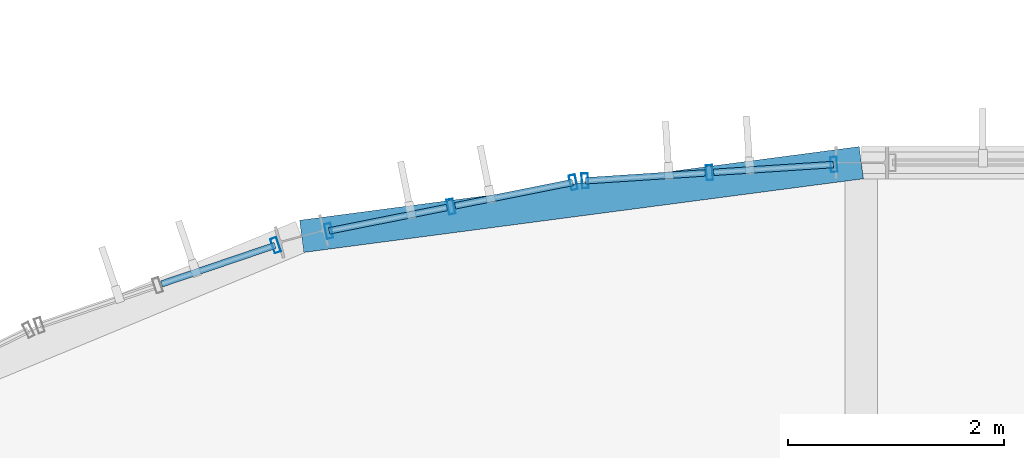
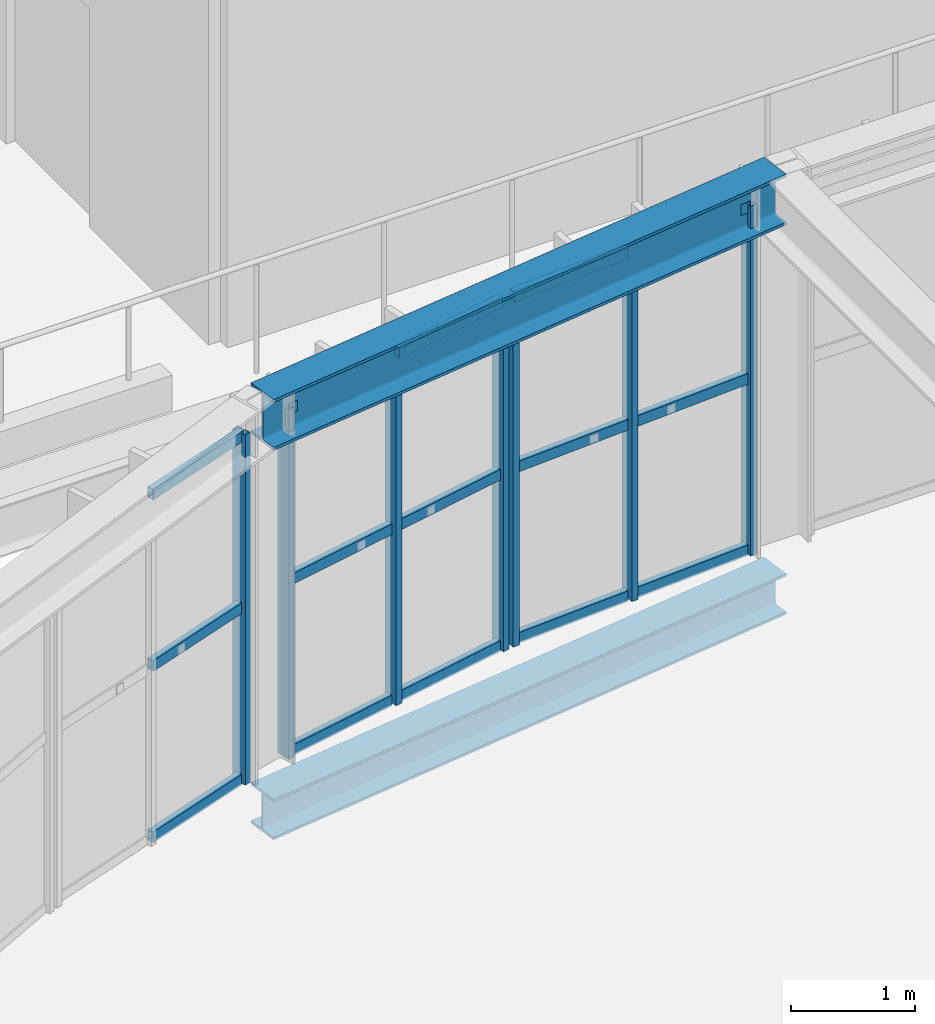
# One storey, part 54 of 152: 22 members, 2 beams, 3 elements without a shape of their own.
"""IFC4 building model written with IfcOpenShell, lengths in metres."""

import ifcopenshell
import ifcopenshell.guid

model = None  # the IFC model being written
_history = None  # IfcOwnerHistory: only IFC2X3 demands one
_inside = {}  # id of a spatial element -> (the spatial element, [elements in it])
_under = {}  # id of a project, library or spatial element -> (it, [spatial elements below it])
_declared = {}  # id of a project -> (the project, [libraries it declares])
_typed = {}  # id of a type object -> (the type object, [elements of that type])
_made_of = {}  # id of a material, layer set ... -> (it, [elements and type objects made of it])


def new_model(schema):
    """Start an empty IFC model of exactly this schema.

    Asked for "IFC4X3", IfcOpenShell would pick the latest addendum, in which some entities
    have other attributes; the version numbers below select the first issue.
    IFC2X3 requires an IfcOwnerHistory on every rooted entity: one is made here for all.
    """
    global model, _history
    if schema == "IFC4X3":
        model = ifcopenshell.file(schema_version=(4, 3, 0, 0))
    else:
        model = ifcopenshell.file(schema=schema)
    _inside.clear()
    _under.clear()
    _declared.clear()
    _typed.clear()
    _made_of.clear()
    _history = None
    if model.schema == "IFC2X3":
        org = make("IfcOrganization", Name="unknown")
        user = make(
            "IfcPersonAndOrganization",
            ThePerson=make("IfcPerson", FamilyName="unknown"),
            TheOrganization=org,
        )
        app = make(
            "IfcApplication",
            ApplicationDeveloper=org,
            Version="unknown",
            ApplicationFullName="unknown",
            ApplicationIdentifier="unknown",
        )
        _history = make(
            "IfcOwnerHistory",
            OwningUser=user,
            OwningApplication=app,
            ChangeAction="ADDED",
            CreationDate=0,
        )
    return model


def make(cls, **values):
    """One entity of the class cls with the attributes given. An attribute that is None is left unset."""
    return model.create_entity(
        cls, **{name: value for name, value in values.items() if value is not None}
    )


def rooted(cls, **values):
    """An entity with a GlobalId (a new one), such as an element, a storey or a relation."""
    return make(cls, GlobalId=ifcopenshell.guid.new(), OwnerHistory=_history, **values)


def si_unit(unit_type, name, prefix=None):
    """IfcSIUnit, for example si_unit("LENGTHUNIT", "METRE", prefix="MILLI")."""
    return make("IfcSIUnit", UnitType=unit_type, Prefix=prefix, Name=name)


def derived_unit(unit_type, elements):
    """IfcDerivedUnit: a product of units, each with its exponent."""
    return make(
        "IfcDerivedUnit",
        Elements=[
            make("IfcDerivedUnitElement", Unit=unit, Exponent=power)
            for unit, power in elements
        ],
        UnitType=unit_type,
    )


def assignment(units):
    """IfcUnitAssignment: the units of a project."""
    return None if units is None else make("IfcUnitAssignment", Units=units)


def point(xyz):
    """IfcCartesianPoint."""
    return None if xyz is None else make("IfcCartesianPoint", Coordinates=xyz)


def direction(xyz):
    """IfcDirection."""
    return None if xyz is None else make("IfcDirection", DirectionRatios=xyz)


def frame(location, z_axis=None, x_axis=None):
    """IfcAxis2Placement3D, a coordinate frame: its origin and axes. An axis left out is left unset."""
    return make(
        "IfcAxis2Placement3D",
        Location=point(location),
        Axis=direction(z_axis),
        RefDirection=direction(x_axis),
    )


def frame_2d(location, x_axis=None):
    """IfcAxis2Placement2D, a coordinate frame in the plane: its origin and x axis."""
    return make(
        "IfcAxis2Placement2D", Location=point(location), RefDirection=direction(x_axis)
    )


def origin():
    """The frame at (0, 0, 0) with its axes left unset."""
    return frame((0.0, 0.0, 0.0))


def origin_2d():
    """The frame at (0, 0) in the plane with its x axis left unset."""
    return frame_2d((0.0, 0.0))


def place(relative_to, where):
    """IfcLocalPlacement: puts the frame where relative to a parent placement (None: the world)."""
    return make(
        "IfcLocalPlacement", PlacementRelTo=relative_to, RelativePlacement=where
    )


def context(
    kind, dimensions, precision=None, world=None, true_north=None, identifier=None
):
    """IfcGeometricRepresentationContext, for example the 3D "Model" context."""
    return make(
        "IfcGeometricRepresentationContext",
        ContextIdentifier=identifier,
        ContextType=kind,
        CoordinateSpaceDimension=dimensions,
        Precision=precision,
        WorldCoordinateSystem=world,
        TrueNorth=true_north,
    )


def subcontext(parent, identifier, kind, view, scale=None):
    """IfcGeometricRepresentationSubContext, for example "Body" below "Model"."""
    return make(
        "IfcGeometricRepresentationSubContext",
        ContextIdentifier=identifier,
        ContextType=kind,
        ParentContext=parent,
        TargetScale=scale,
        TargetView=view,
    )


def project(units=None, contexts=None):
    """IfcProject with its units and contexts."""
    return rooted(
        "IfcProject",
        Name="project",
        RepresentationContexts=contexts,
        UnitsInContext=assignment(units),
    )


def spatial(cls, under=None, at=None, **own):
    """A site, building, storey or space (cls), placed at a placement, below another one or the project."""
    s = rooted(cls, ObjectPlacement=at, **own)
    if under is not None:
        _under.setdefault(under.id(), (under, []))[1].append(s)
    return s


def profile(cls, at=None, kind="AREA", **sizes):
    """A parametric profile (cls). Its sizes go by their IFC names, for example OverallWidth=200.0."""
    return make(cls, ProfileType=kind, Position=at, **sizes)


def hollow_rectangle(**sizes):
    """IfcRectangleHollowProfileDef."""
    return profile("IfcRectangleHollowProfileDef", **sizes)


def i_section(**sizes):
    """IfcIShapeProfileDef."""
    return profile("IfcIShapeProfileDef", **sizes)


def extrude(swept, where, along, depth):
    """IfcExtrudedAreaSolid: the profile swept, set in the frame where, extruded along a direction by depth."""
    return make(
        "IfcExtrudedAreaSolid",
        SweptArea=swept,
        Position=where,
        ExtrudedDirection=direction(along),
        Depth=depth,
    )


def shape(context_of_items, identifier, shape_type, items):
    """IfcShapeRepresentation: the items that make up one representation, for example the "Body"."""
    return make(
        "IfcShapeRepresentation",
        ContextOfItems=context_of_items,
        RepresentationIdentifier=identifier,
        RepresentationType=shape_type,
        Items=items,
    )


def material(Name=None, Category=None):
    """IfcMaterial."""
    return make("IfcMaterial", Name=Name, Category=Category)


def material_profile(
    of_material, cross_section, Name=None, Category=None, Priority=None
):
    """IfcMaterialProfile: a cross section and its material."""
    return make(
        "IfcMaterialProfile",
        Name=Name,
        Material=of_material,
        Profile=cross_section,
        Priority=Priority,
        Category=Category,
    )


def profile_set(profiles, Name=None, composite=None):
    """IfcMaterialProfileSet."""
    return make(
        "IfcMaterialProfileSet",
        Name=Name,
        MaterialProfiles=profiles,
        CompositeProfile=composite,
    )


def made_of(thing, what):
    """Note that an element or type object is made of a material, layer set ...; save() writes the relation."""
    if what is not None:
        _made_of.setdefault(what.id(), (what, []))[1].append(thing)
    return thing


def type_object(cls, material=None, **own):
    """A type object (cls), such as IfcWallType, which elements share."""
    return made_of(rooted(cls, **own), material)


def element(
    cls,
    number,
    at=None,
    inside=None,
    cuts=None,
    type_object=None,
    material=None,
    context=None,
    identifier="Body",
    shape_type=None,
    held_by="IfcProductDefinitionShape",
    body=None,
    shapes=None,
    **own,
):
    """One element of the class cls, such as IfcWall. Its Tag is "e" and its number.

    at: its placement. inside: the storey or other place that contains it. cuts: it is an
    opening in that element (IfcRelVoidsElement). A single representation is given by context,
    identifier, shape_type and body (its items); several are given by shapes. held_by: the class
    of the entity that holds the representations. save() writes the other relations.
    """
    e = rooted(cls, Tag="e%d" % number, ObjectPlacement=at, **own)
    if body is not None:
        shapes = [shape(context, identifier, shape_type, body)]
    if shapes is not None:
        e.Representation = make(held_by, Representations=shapes)
    if inside is not None:
        _inside.setdefault(inside.id(), (inside, []))[1].append(e)
    if cuts is not None:
        rooted(
            "IfcRelVoidsElement", RelatingBuildingElement=cuts, RelatedOpeningElement=e
        )
    if type_object is not None:
        _typed.setdefault(type_object.id(), (type_object, []))[1].append(e)
    return made_of(e, material)


def aggregate(whole, parts):
    """IfcRelAggregates: a whole, such as a stair, and the parts it consists of."""
    return rooted("IfcRelAggregates", RelatingObject=whole, RelatedObjects=parts)


def save(model, path):
    """Write the relations noted so far, then the file.

    IfcRelAggregates (storeys below a building ...), IfcRelContainedInSpatialStructure (elements
    in a storey), IfcRelDefinesByType, IfcRelAssociatesMaterial and IfcRelDeclares: one each for
    every whole, place, type object, material and project.
    """
    for whole, parts in _under.values():
        aggregate(whole, parts)
    for where, things in _inside.values():
        rooted(
            "IfcRelContainedInSpatialStructure",
            RelatedElements=things,
            RelatingStructure=where,
        )
    for kind, things in _typed.values():
        rooted("IfcRelDefinesByType", RelatedObjects=things, RelatingType=kind)
    for what, things in _made_of.values():
        rooted("IfcRelAssociatesMaterial", RelatedObjects=things, RelatingMaterial=what)
    for by, libraries in _declared.values():
        rooted("IfcRelDeclares", RelatingContext=by, RelatedDefinitions=libraries)
    model.write(path)


model = new_model("IFC4")

# Units and contexts
model_context = context("Model", 3, precision=1e-05, world=origin(), true_north=direction((0.0, 1.0)))
body_context = subcontext(model_context, "Body", "Model", "MODEL_VIEW")
ifc_project = project(units=[si_unit("LENGTHUNIT", "METRE"), si_unit("AREAUNIT", "SQUARE_METRE"), si_unit("VOLUMEUNIT", "CUBIC_METRE"), si_unit("PLANEANGLEUNIT", "RADIAN"), si_unit("MASSUNIT", "GRAM", prefix="KILO"), si_unit("THERMODYNAMICTEMPERATUREUNIT", "KELVIN"), si_unit("TIMEUNIT", "SECOND"), derived_unit("THERMALTRANSMITTANCEUNIT", [(si_unit("MASSUNIT", "GRAM", prefix="KILO"), 1), (si_unit("THERMODYNAMICTEMPERATUREUNIT", "KELVIN"), -1), (si_unit("TIMEUNIT", "SECOND"), -3)])], contexts=[model_context])

# Site, building, storey
site_placement = place(None, origin())
site = spatial("IfcSite", under=ifc_project, at=site_placement, CompositionType="ELEMENT")
building_placement = place(site_placement, origin())
building = spatial("IfcBuilding", under=site, at=building_placement, Name="Cambertide Market Hall", CompositionType="ELEMENT")
storey_placement = place(building_placement, frame((0.0, 0.0, 5.39990234375)))
storey = spatial("IfcBuildingStorey", under=building, at=storey_placement, Name="L02", CompositionType="ELEMENT", Elevation=5.39990234375)

# Curtain wall, members
ifc_material_1 = material(Name="Marine Anodized Aluminium 6063-T6 AA25", Category="aluminium")
curtain_wall_type = type_object("IfcCurtainWallType", Name="Lantern Apse Chord Upper Curtain Wall", PredefinedType="USERDEFINED", material=ifc_material_1)
curtain_wall_1_placement = place(storey_placement, origin())
curtain_wall_1 = element("IfcCurtainWall", 1, at=curtain_wall_1_placement, inside=storey, type_object=curtain_wall_type, Name="Level 2 Curtain Wall CW-V1AW-L02-01", ObjectType="UNITIZED CURTAIN WALL", PredefinedType="USERDEFINED")
ifc_material_2 = material(Name="Champagne Marine Anodized Aluminium 6063-T6 AA25", Category="aluminium")
ifc_material_profile_1 = material_profile(ifc_material_2, hollow_rectangle(XDim=0.06005859375, YDim=0.139892578125, WallThickness=0.00341796875, at=origin_2d()), Name="ALU MULLION 60x140")
ifc_profile_set_1 = profile_set([ifc_material_profile_1], Name="Champagne Marine Anodized Aluminium 6063-T6 AA25")
member_type_1 = type_object("IfcMemberType", Name="Curtain Wall Mullion ALU MULLION 60x140", PredefinedType="MULLION", material=ifc_profile_set_1)
member_1_placement = place(storey_placement, frame((39.4443359375, 91.83251953125, 0.0), z_axis=(0.0, 0.0, 1.0), x_axis=(0.997858917819, 0.065403211921, 0.0)))
member_1 = element("IfcMember", 2, at=member_1_placement, type_object=member_type_1, Name="CW-V1AW-L02-01 Mullion 1", PredefinedType="MULLION", context=body_context, shape_type="SweptSolid", body=[
    extrude(hollow_rectangle(XDim=0.06005859375, YDim=0.139892578125, WallThickness=0.00341796875, at=origin_2d()), origin(), (0.0, 0.0, 1.0), 3.4501953125),
])
member_2_placement = place(storey_placement, frame((40.594970703125, 91.907958984375, 0.0), z_axis=(0.0, 0.0, 1.0), x_axis=(0.997858917819, 0.065403211921, 0.0)))
member_2 = element("IfcMember", 3, at=member_2_placement, type_object=member_type_1, Name="CW-V1AW-L02-01 Mullion 2", PredefinedType="MULLION", context=body_context, shape_type="SweptSolid", body=[
    extrude(hollow_rectangle(XDim=0.06005859375, YDim=0.139892578125, WallThickness=0.00341796875, at=origin_2d()), origin(), (0.0, 0.0, 1.0), 3.4501953125),
])
member_3_placement = place(storey_placement, frame((41.74560546875, 91.9833984375, 0.0), z_axis=(0.0, 0.0, 1.0), x_axis=(0.997858917819, 0.065403211921, 0.0)))
member_3 = element("IfcMember", 4, at=member_3_placement, type_object=member_type_1, Name="CW-V1AW-L02-01 Mullion 3", PredefinedType="MULLION", context=body_context, shape_type="SweptSolid", body=[
    extrude(hollow_rectangle(XDim=0.06005859375, YDim=0.139892578125, WallThickness=0.00341796875, at=origin_2d()), origin(), (0.0, 0.0, 1.0), 3.4501953125),
])

curtain_wall_2_placement = place(storey_placement, origin())
curtain_wall_2 = element("IfcCurtainWall", 5, at=curtain_wall_2_placement, inside=storey, type_object=curtain_wall_type, Name="Level 2 Curtain Wall CW-V1AW-L02-02", ObjectType="UNITIZED CURTAIN WALL", PredefinedType="USERDEFINED")
member_4_placement = place(storey_placement, frame((37.07373046875, 91.3681640625, 0.0), z_axis=(0.0, 0.0, 1.0), x_axis=(0.980785330885, 0.195090068226, 0.0)))
member_4 = element("IfcMember", 6, at=member_4_placement, type_object=member_type_1, Name="CW-V1AW-L02-02 Mullion 1", PredefinedType="MULLION", context=body_context, shape_type="SweptSolid", body=[
    extrude(hollow_rectangle(XDim=0.06005859375, YDim=0.139892578125, WallThickness=0.00341796875, at=origin_2d()), origin(), (0.0, 0.0, 1.0), 3.4501953125),
])
member_5_placement = place(storey_placement, frame((38.20458984375, 91.59326171875, 0.0), z_axis=(0.0, 0.0, 1.0), x_axis=(0.980785330885, 0.195090068226, 0.0)))
member_5 = element("IfcMember", 7, at=member_5_placement, type_object=member_type_1, Name="CW-V1AW-L02-02 Mullion 2", PredefinedType="MULLION", context=body_context, shape_type="SweptSolid", body=[
    extrude(hollow_rectangle(XDim=0.06005859375, YDim=0.139892578125, WallThickness=0.00341796875, at=origin_2d()), origin(), (0.0, 0.0, 1.0), 3.4501953125),
])
member_6_placement = place(storey_placement, frame((39.33544921875, 91.818115234375, 0.0), z_axis=(0.0, 0.0, 1.0), x_axis=(0.980785330885, 0.195090068226, 0.0)))
member_6 = element("IfcMember", 8, at=member_6_placement, type_object=member_type_1, Name="CW-V1AW-L02-02 Mullion 3", PredefinedType="MULLION", context=body_context, shape_type="SweptSolid", body=[
    extrude(hollow_rectangle(XDim=0.06005859375, YDim=0.139892578125, WallThickness=0.00341796875, at=origin_2d()), origin(), (0.0, 0.0, 1.0), 3.4501953125),
])

# Curtain wall, member
curtain_wall_3_placement = place(storey_placement, origin())
curtain_wall_3 = element("IfcCurtainWall", 9, at=curtain_wall_3_placement, inside=storey, type_object=curtain_wall_type, Name="Level 2 Curtain Wall CW-V1AW-L02-03", ObjectType="UNITIZED CURTAIN WALL", PredefinedType="USERDEFINED")
member_7_placement = place(storey_placement, frame((36.58203125, 91.236572265625, 0.0), z_axis=(0.0, 0.0, 1.0), x_axis=(0.94693012508, 0.32143947831, 0.0)))
member_7 = element("IfcMember", 10, at=member_7_placement, type_object=member_type_1, Name="CW-V1AW-L02-03 Mullion 3", PredefinedType="MULLION", context=body_context, shape_type="SweptSolid", body=[
    extrude(hollow_rectangle(XDim=0.06005859375, YDim=0.139892578125, WallThickness=0.00341796875, at=origin_2d()), origin(), (0.0, 0.0, 1.0), 3.4501953125),
])

# Member
ifc_material_3 = material(Name="Champagne Marine Anodized Aluminium 6063-T6 AA25", Category="aluminium")
ifc_material_profile_2 = material_profile(ifc_material_3, hollow_rectangle(XDim=0.06005859375, YDim=0.10498046875, WallThickness=0.0029296875, at=origin_2d()), Name="ALU TRANSOM 60x105")
ifc_profile_set_2 = profile_set([ifc_material_profile_2], Name="Champagne Marine Anodized Aluminium 6063-T6 AA25")
member_type_2 = type_object("IfcMemberType", Name="Curtain Wall Transom ALU TRANSOM 60x105", PredefinedType="USERDEFINED", material=ifc_profile_set_2)
member_8_placement = place(storey_placement, frame((39.449462890625, 91.832763671875, 0.03515625), z_axis=(0.997855769469, 0.065451228695, 0.0), x_axis=(-0.065451228695, 0.997855769469, 0.0)))
member_8 = element("IfcMember", 11, at=member_8_placement, type_object=member_type_2, Name="CW-V1AW-L02-01 Transom 1-1", ObjectType="TRANSOM", PredefinedType="USERDEFINED", context=body_context, shape_type="SweptSolid", body=[
    extrude(hollow_rectangle(XDim=0.06005859375, YDim=0.10498046875, WallThickness=0.0029296875, at=origin_2d()), origin(), (0.0, 0.0, 1.0), 1.10791015625),
])

member_9_placement = place(storey_placement, frame((40.634765625, 91.91064453125, 0.03515625), z_axis=(0.997871075842, 0.065217451634, 0.0), x_axis=(-0.065217451634, 0.997871075842, 0.0)))
member_9 = element("IfcMember", 12, at=member_9_placement, type_object=member_type_2, Name="CW-V1AW-L02-01 Transom 1-2", ObjectType="TRANSOM", PredefinedType="USERDEFINED", context=body_context, shape_type="SweptSolid", body=[
    extrude(hollow_rectangle(XDim=0.06005859375, YDim=0.10498046875, WallThickness=0.0029296875, at=origin_2d()), origin(), (0.0, 0.0, 1.0), 1.108154296875),
])

member_10_placement = place(storey_placement, frame((39.449462890625, 91.832763671875, 1.72509765625), z_axis=(0.997855769469, 0.065451228695, 0.0), x_axis=(-0.065451228695, 0.997855769469, 0.0)))
member_10 = element("IfcMember", 13, at=member_10_placement, type_object=member_type_2, Name="CW-V1AW-L02-01 Transom 2-1", ObjectType="TRANSOM", PredefinedType="USERDEFINED", context=body_context, shape_type="SweptSolid", body=[
    extrude(hollow_rectangle(XDim=0.06005859375, YDim=0.10498046875, WallThickness=0.0029296875, at=origin_2d()), origin(), (0.0, 0.0, 1.0), 1.10791015625),
])

member_11_placement = place(storey_placement, frame((40.634765625, 91.91064453125, 1.72509765625), z_axis=(0.997871075842, 0.065217451634, 0.0), x_axis=(-0.065217451634, 0.997871075842, 0.0)))
member_11 = element("IfcMember", 14, at=member_11_placement, type_object=member_type_2, Name="CW-V1AW-L02-01 Transom 2-2", ObjectType="TRANSOM", PredefinedType="USERDEFINED", context=body_context, shape_type="SweptSolid", body=[
    extrude(hollow_rectangle(XDim=0.06005859375, YDim=0.10498046875, WallThickness=0.0029296875, at=origin_2d()), origin(), (0.0, 0.0, 1.0), 1.108154296875),
])

member_12_placement = place(storey_placement, frame((39.449462890625, 91.832763671875, 3.4150390625), z_axis=(0.997855769469, 0.065451228695, 0.0), x_axis=(-0.065451228695, 0.997855769469, 0.0)))
member_12 = element("IfcMember", 15, at=member_12_placement, type_object=member_type_2, Name="CW-V1AW-L02-01 Transom 3-1", ObjectType="TRANSOM", PredefinedType="USERDEFINED", context=body_context, shape_type="SweptSolid", body=[
    extrude(hollow_rectangle(XDim=0.06005859375, YDim=0.10498046875, WallThickness=0.0029296875, at=origin_2d()), origin(), (0.0, 0.0, 1.0), 1.10791015625),
])

member_13_placement = place(storey_placement, frame((40.634765625, 91.91064453125, 3.4150390625), z_axis=(0.997871075842, 0.065217451634, 0.0), x_axis=(-0.065217451634, 0.997871075842, 0.0)))
member_13 = element("IfcMember", 16, at=member_13_placement, type_object=member_type_2, Name="CW-V1AW-L02-01 Transom 3-2", ObjectType="TRANSOM", PredefinedType="USERDEFINED", context=body_context, shape_type="SweptSolid", body=[
    extrude(hollow_rectangle(XDim=0.06005859375, YDim=0.10498046875, WallThickness=0.0029296875, at=origin_2d()), origin(), (0.0, 0.0, 1.0), 1.108154296875),
])

aggregate(curtain_wall_1, [member_1, member_2, member_3, member_8, member_9, member_10, member_11, member_12, member_13])

member_14_placement = place(storey_placement, frame((37.07861328125, 91.369140625, 0.03515625), z_axis=(0.980758243369, 0.195226197175, 0.0), x_axis=(-0.195226197175, 0.980758243369, 0.0)))
member_14 = element("IfcMember", 17, at=member_14_placement, type_object=member_type_2, Name="CW-V1AW-L02-02 Transom 1-1", ObjectType="TRANSOM", PredefinedType="USERDEFINED", context=body_context, shape_type="SweptSolid", body=[
    extrude(hollow_rectangle(XDim=0.06005859375, YDim=0.10498046875, WallThickness=0.0029296875, at=origin_2d()), origin(), (0.0, 0.0, 1.0), 1.10791015625),
])

member_15_placement = place(storey_placement, frame((38.243896484375, 91.60107421875, 0.03515625), z_axis=(0.980800411785, 0.195014235999, 0.0), x_axis=(-0.195014235999, 0.980800411785, 0.0)))
member_15 = element("IfcMember", 18, at=member_15_placement, type_object=member_type_2, Name="CW-V1AW-L02-02 Transom 1-2", ObjectType="TRANSOM", PredefinedType="USERDEFINED", context=body_context, shape_type="SweptSolid", body=[
    extrude(hollow_rectangle(XDim=0.06005859375, YDim=0.10498046875, WallThickness=0.0029296875, at=origin_2d()), origin(), (0.0, 0.0, 1.0), 1.10791015625),
])

member_16_placement = place(storey_placement, frame((37.07861328125, 91.369140625, 1.72509765625), z_axis=(0.980758243369, 0.195226197175, 0.0), x_axis=(-0.195226197175, 0.980758243369, 0.0)))
member_16 = element("IfcMember", 19, at=member_16_placement, type_object=member_type_2, Name="CW-V1AW-L02-02 Transom 2-1", ObjectType="TRANSOM", PredefinedType="USERDEFINED", context=body_context, shape_type="SweptSolid", body=[
    extrude(hollow_rectangle(XDim=0.06005859375, YDim=0.10498046875, WallThickness=0.0029296875, at=origin_2d()), origin(), (0.0, 0.0, 1.0), 1.10791015625),
])

member_17_placement = place(storey_placement, frame((38.243896484375, 91.60107421875, 1.72509765625), z_axis=(0.980800411785, 0.195014235999, 0.0), x_axis=(-0.195014235999, 0.980800411785, 0.0)))
member_17 = element("IfcMember", 20, at=member_17_placement, type_object=member_type_2, Name="CW-V1AW-L02-02 Transom 2-2", ObjectType="TRANSOM", PredefinedType="USERDEFINED", context=body_context, shape_type="SweptSolid", body=[
    extrude(hollow_rectangle(XDim=0.06005859375, YDim=0.10498046875, WallThickness=0.0029296875, at=origin_2d()), origin(), (0.0, 0.0, 1.0), 1.10791015625),
])

member_18_placement = place(storey_placement, frame((37.07861328125, 91.369140625, 3.4150390625), z_axis=(0.980758243369, 0.195226197175, 0.0), x_axis=(-0.195226197175, 0.980758243369, 0.0)))
member_18 = element("IfcMember", 21, at=member_18_placement, type_object=member_type_2, Name="CW-V1AW-L02-02 Transom 3-1", ObjectType="TRANSOM", PredefinedType="USERDEFINED", context=body_context, shape_type="SweptSolid", body=[
    extrude(hollow_rectangle(XDim=0.06005859375, YDim=0.10498046875, WallThickness=0.0029296875, at=origin_2d()), origin(), (0.0, 0.0, 1.0), 1.10791015625),
])

member_19_placement = place(storey_placement, frame((38.243896484375, 91.60107421875, 3.4150390625), z_axis=(0.980800411785, 0.195014235999, 0.0), x_axis=(-0.195014235999, 0.980800411785, 0.0)))
member_19 = element("IfcMember", 22, at=member_19_placement, type_object=member_type_2, Name="CW-V1AW-L02-02 Transom 3-2", ObjectType="TRANSOM", PredefinedType="USERDEFINED", context=body_context, shape_type="SweptSolid", body=[
    extrude(hollow_rectangle(XDim=0.06005859375, YDim=0.10498046875, WallThickness=0.0029296875, at=origin_2d()), origin(), (0.0, 0.0, 1.0), 1.10791015625),
])

aggregate(curtain_wall_2, [member_4, member_5, member_6, member_14, member_15, member_16, member_17, member_18, member_19])

member_20_placement = place(storey_placement, frame((35.528076171875, 90.878662109375, 0.03515625), z_axis=(0.946928413037, 0.321444521782, 0.0), x_axis=(-0.321444521782, 0.946928413037, 0.0)))
member_20 = element("IfcMember", 23, at=member_20_placement, type_object=member_type_2, Name="CW-V1AW-L02-03 Transom 1-2", ObjectType="TRANSOM", PredefinedType="USERDEFINED", context=body_context, shape_type="SweptSolid", body=[
    extrude(hollow_rectangle(XDim=0.06005859375, YDim=0.10498046875, WallThickness=0.0029296875, at=origin_2d()), origin(), (0.0, 0.0, 1.0), 1.108154296875),
])

member_21_placement = place(storey_placement, frame((35.528076171875, 90.878662109375, 1.72509765625), z_axis=(0.946928413037, 0.321444521782, 0.0), x_axis=(-0.321444521782, 0.946928413037, 0.0)))
member_21 = element("IfcMember", 24, at=member_21_placement, type_object=member_type_2, Name="CW-V1AW-L02-03 Transom 2-2", ObjectType="TRANSOM", PredefinedType="USERDEFINED", context=body_context, shape_type="SweptSolid", body=[
    extrude(hollow_rectangle(XDim=0.06005859375, YDim=0.10498046875, WallThickness=0.0029296875, at=origin_2d()), origin(), (0.0, 0.0, 1.0), 1.108154296875),
])

member_22_placement = place(storey_placement, frame((35.528076171875, 90.878662109375, 3.4150390625), z_axis=(0.946928413037, 0.321444521782, 0.0), x_axis=(-0.321444521782, 0.946928413037, 0.0)))
member_22 = element("IfcMember", 25, at=member_22_placement, type_object=member_type_2, Name="CW-V1AW-L02-03 Transom 3-2", ObjectType="TRANSOM", PredefinedType="USERDEFINED", context=body_context, shape_type="SweptSolid", body=[
    extrude(hollow_rectangle(XDim=0.06005859375, YDim=0.10498046875, WallThickness=0.0029296875, at=origin_2d()), origin(), (0.0, 0.0, 1.0), 1.108154296875),
])

aggregate(curtain_wall_3, [member_7, member_20, member_21, member_22])

# Beams
ifc_material_4 = material(Name="Steel S355", Category="steel")
ifc_material_profile_3 = material_profile(ifc_material_4, i_section(OverallWidth=0.300048828125, OverallDepth=0.5, WebThickness=0.014404296875, FlangeThickness=0.028076171875, FilletRadius=0.027099609375, at=origin_2d()), Name="HEB 500")
ifc_profile_set_3 = profile_set([ifc_material_profile_3], Name="Steel S355")
beam_type_1 = type_object("IfcBeamType", Name="Exterior Steel Girder HEB 500", PredefinedType="BEAM", material=ifc_profile_set_3)
beam_1_placement = place(storey_placement, frame((42.0, 92.0, 3.4501953125), z_axis=(-0.991446654043, -0.130512574825, 0.0), x_axis=(0.130512574825, -0.991446654043, 0.0)))
element("IfcBeam", 26, at=beam_1_placement, inside=storey, type_object=beam_type_1, Name="Level 2 Beam EAVE-V1AW-01", PredefinedType="BEAM", context=body_context, shape_type="SweptSolid", body=[
    extrude(i_section(OverallWidth=0.300048828125, OverallDepth=0.5, WebThickness=0.014404296875, FlangeThickness=0.028076171875, FilletRadius=0.027099609375, at=origin_2d()), origin(), (0.0, 0.0, 1.0), 5.220947265625),
])
ifc_material_5 = material(Name="Steel S355", Category="steel")
ifc_material_profile_4 = material_profile(ifc_material_5, i_section(OverallWidth=0.300048828125, OverallDepth=0.39990234375, WebThickness=0.013427734375, FlangeThickness=0.02392578125, FilletRadius=0.027099609375, at=origin_2d()), Name="HEB 400")
ifc_profile_set_4 = profile_set([ifc_material_profile_4], Name="Steel S355")
beam_type_2 = type_object("IfcBeamType", Name="Steel Girder HEB 400", PredefinedType="BEAM", material=ifc_profile_set_4)
beam_2_placement = place(storey_placement, frame((42.0, 92.0, -0.43994140625), z_axis=(-0.991446654043, -0.130512574825, 0.0), x_axis=(0.130512574825, -0.991446654043, 0.0)))
element("IfcBeam", 27, at=beam_2_placement, inside=storey, type_object=beam_type_2, Name="Level 2 Beam BM-V1AW-L02-1", PredefinedType="BEAM", context=body_context, shape_type="SweptSolid", body=[
    extrude(i_section(OverallWidth=0.300048828125, OverallDepth=0.39990234375, WebThickness=0.013427734375, FlangeThickness=0.02392578125, FilletRadius=0.027099609375, at=origin_2d()), origin(), (0.0, 0.0, 1.0), 5.220947265625),
])

save(model, "model.ifc")
